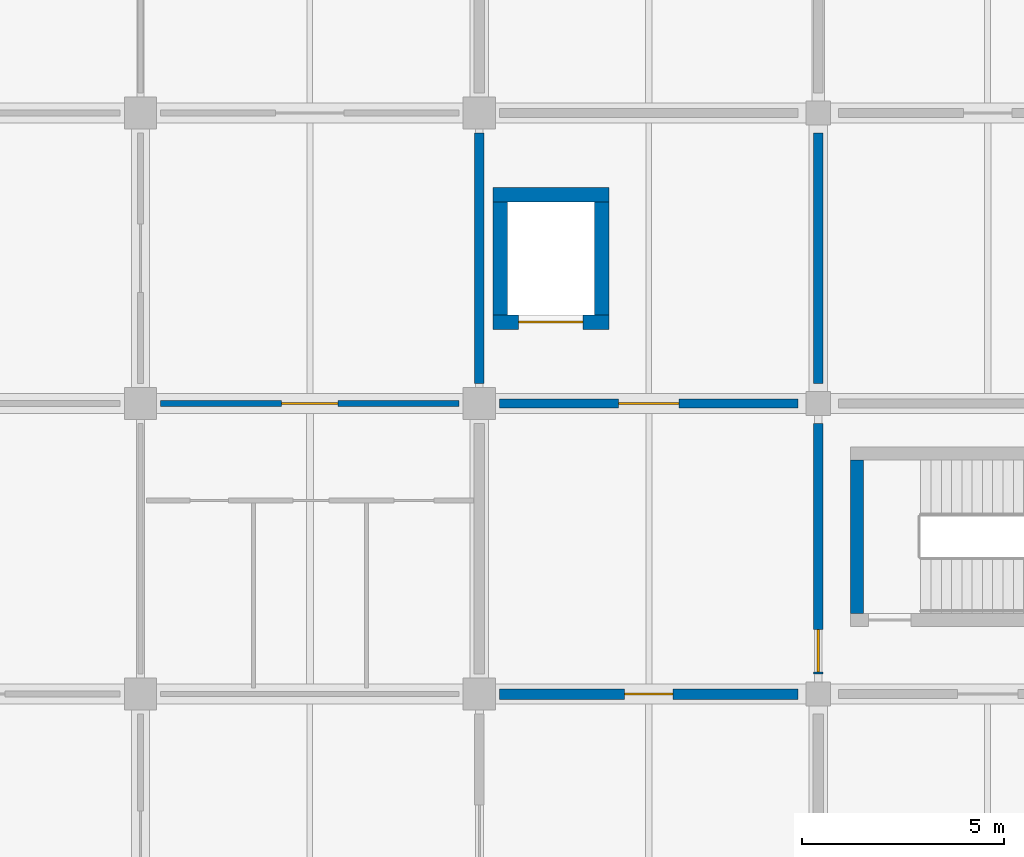
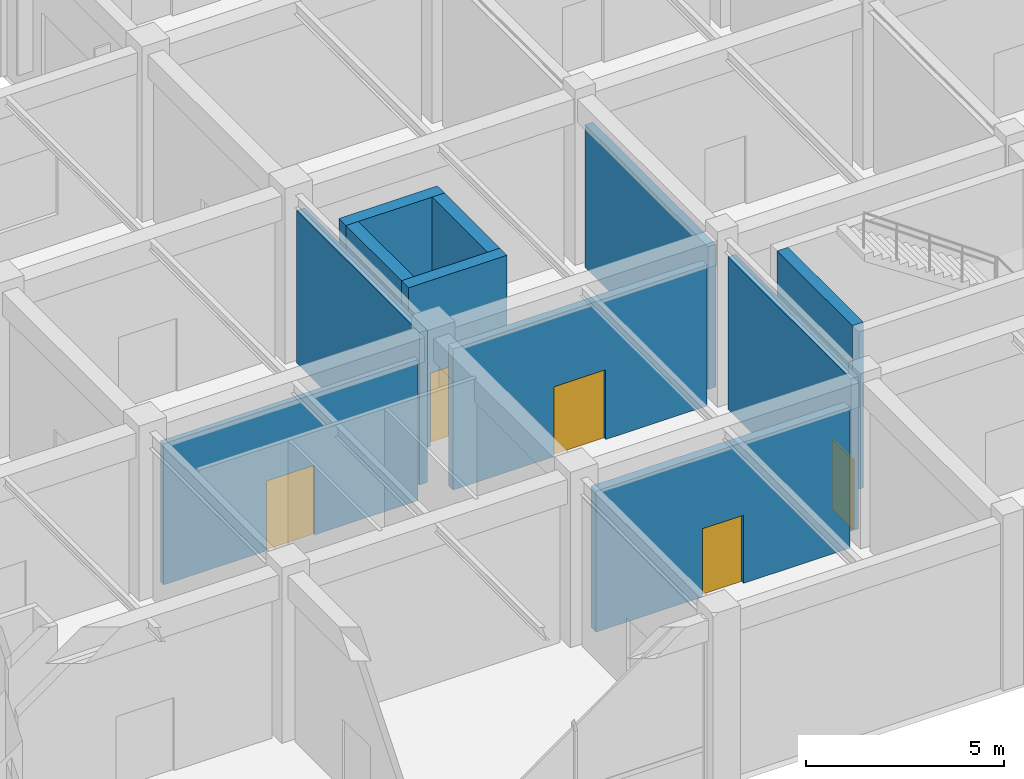
# One storey, part 26 of 38: 11 walls, 5 doors, 5 openings.
"""IFC4 building model written with IfcOpenShell, lengths in metres."""

import ifcopenshell
import ifcopenshell.guid

model = None  # the IFC model being written
_history = None  # IfcOwnerHistory: only IFC2X3 demands one
_inside = {}  # id of a spatial element -> (the spatial element, [elements in it])
_under = {}  # id of a project, library or spatial element -> (it, [spatial elements below it])
_declared = {}  # id of a project -> (the project, [libraries it declares])
_typed = {}  # id of a type object -> (the type object, [elements of that type])
_made_of = {}  # id of a material, layer set ... -> (it, [elements and type objects made of it])


def new_model(schema):
    """Start an empty IFC model of exactly this schema.

    Asked for "IFC4X3", IfcOpenShell would pick the latest addendum, in which some entities
    have other attributes; the version numbers below select the first issue.
    IFC2X3 requires an IfcOwnerHistory on every rooted entity: one is made here for all.
    """
    global model, _history
    if schema == "IFC4X3":
        model = ifcopenshell.file(schema_version=(4, 3, 0, 0))
    else:
        model = ifcopenshell.file(schema=schema)
    _inside.clear()
    _under.clear()
    _declared.clear()
    _typed.clear()
    _made_of.clear()
    _history = None
    if model.schema == "IFC2X3":
        org = make("IfcOrganization", Name="unknown")
        user = make(
            "IfcPersonAndOrganization",
            ThePerson=make("IfcPerson", FamilyName="unknown"),
            TheOrganization=org,
        )
        app = make(
            "IfcApplication",
            ApplicationDeveloper=org,
            Version="unknown",
            ApplicationFullName="unknown",
            ApplicationIdentifier="unknown",
        )
        _history = make(
            "IfcOwnerHistory",
            OwningUser=user,
            OwningApplication=app,
            ChangeAction="ADDED",
            CreationDate=0,
        )
    return model


def make(cls, **values):
    """One entity of the class cls with the attributes given. An attribute that is None is left unset."""
    return model.create_entity(
        cls, **{name: value for name, value in values.items() if value is not None}
    )


def rooted(cls, **values):
    """An entity with a GlobalId (a new one), such as an element, a storey or a relation."""
    return make(cls, GlobalId=ifcopenshell.guid.new(), OwnerHistory=_history, **values)


def si_unit(unit_type, name, prefix=None):
    """IfcSIUnit, for example si_unit("LENGTHUNIT", "METRE", prefix="MILLI")."""
    return make("IfcSIUnit", UnitType=unit_type, Prefix=prefix, Name=name)


def derived_unit(unit_type, elements):
    """IfcDerivedUnit: a product of units, each with its exponent."""
    return make(
        "IfcDerivedUnit",
        Elements=[
            make("IfcDerivedUnitElement", Unit=unit, Exponent=power)
            for unit, power in elements
        ],
        UnitType=unit_type,
    )


def assignment(units):
    """IfcUnitAssignment: the units of a project."""
    return None if units is None else make("IfcUnitAssignment", Units=units)


def point(xyz):
    """IfcCartesianPoint."""
    return None if xyz is None else make("IfcCartesianPoint", Coordinates=xyz)


def direction(xyz):
    """IfcDirection."""
    return None if xyz is None else make("IfcDirection", DirectionRatios=xyz)


def frame(location, z_axis=None, x_axis=None):
    """IfcAxis2Placement3D, a coordinate frame: its origin and axes. An axis left out is left unset."""
    return make(
        "IfcAxis2Placement3D",
        Location=point(location),
        Axis=direction(z_axis),
        RefDirection=direction(x_axis),
    )


def frame_2d(location, x_axis=None):
    """IfcAxis2Placement2D, a coordinate frame in the plane: its origin and x axis."""
    return make(
        "IfcAxis2Placement2D", Location=point(location), RefDirection=direction(x_axis)
    )


def origin():
    """The frame at (0, 0, 0) with its axes left unset."""
    return frame((0.0, 0.0, 0.0))


def place(relative_to, where):
    """IfcLocalPlacement: puts the frame where relative to a parent placement (None: the world)."""
    return make(
        "IfcLocalPlacement", PlacementRelTo=relative_to, RelativePlacement=where
    )


def context(
    kind, dimensions, precision=None, world=None, true_north=None, identifier=None
):
    """IfcGeometricRepresentationContext, for example the 3D "Model" context."""
    return make(
        "IfcGeometricRepresentationContext",
        ContextIdentifier=identifier,
        ContextType=kind,
        CoordinateSpaceDimension=dimensions,
        Precision=precision,
        WorldCoordinateSystem=world,
        TrueNorth=true_north,
    )


def subcontext(parent, identifier, kind, view, scale=None):
    """IfcGeometricRepresentationSubContext, for example "Body" below "Model"."""
    return make(
        "IfcGeometricRepresentationSubContext",
        ContextIdentifier=identifier,
        ContextType=kind,
        ParentContext=parent,
        TargetScale=scale,
        TargetView=view,
    )


def project(units=None, contexts=None):
    """IfcProject with its units and contexts."""
    return rooted(
        "IfcProject",
        Name="project",
        RepresentationContexts=contexts,
        UnitsInContext=assignment(units),
    )


def spatial(cls, under=None, at=None, **own):
    """A site, building, storey or space (cls), placed at a placement, below another one or the project."""
    s = rooted(cls, ObjectPlacement=at, **own)
    if under is not None:
        _under.setdefault(under.id(), (under, []))[1].append(s)
    return s


def profile(cls, at=None, kind="AREA", **sizes):
    """A parametric profile (cls). Its sizes go by their IFC names, for example OverallWidth=200.0."""
    return make(cls, ProfileType=kind, Position=at, **sizes)


def rectangle(**sizes):
    """IfcRectangleProfileDef."""
    return profile("IfcRectangleProfileDef", **sizes)


def extrude(swept, where, along, depth):
    """IfcExtrudedAreaSolid: the profile swept, set in the frame where, extruded along a direction by depth."""
    return make(
        "IfcExtrudedAreaSolid",
        SweptArea=swept,
        Position=where,
        ExtrudedDirection=direction(along),
        Depth=depth,
    )


def shape(context_of_items, identifier, shape_type, items):
    """IfcShapeRepresentation: the items that make up one representation, for example the "Body"."""
    return make(
        "IfcShapeRepresentation",
        ContextOfItems=context_of_items,
        RepresentationIdentifier=identifier,
        RepresentationType=shape_type,
        Items=items,
    )


def material(Name=None, Category=None):
    """IfcMaterial."""
    return make("IfcMaterial", Name=Name, Category=Category)


def layer(
    of_material, thickness, ventilated=None, Name=None, Category=None, Priority=None
):
    """IfcMaterialLayer: one layer of a wall or slab, of a material (None: an air gap)."""
    return make(
        "IfcMaterialLayer",
        Material=of_material,
        LayerThickness=thickness,
        IsVentilated=ventilated,
        Name=Name,
        Category=Category,
        Priority=Priority,
    )


def layer_set(layers, Name=None):
    """IfcMaterialLayerSet."""
    return make("IfcMaterialLayerSet", MaterialLayers=layers, LayerSetName=Name)


def made_of(thing, what):
    """Note that an element or type object is made of a material, layer set ...; save() writes the relation."""
    if what is not None:
        _made_of.setdefault(what.id(), (what, []))[1].append(thing)
    return thing


def type_object(cls, material=None, **own):
    """A type object (cls), such as IfcWallType, which elements share."""
    return made_of(rooted(cls, **own), material)


def element(
    cls,
    number,
    at=None,
    inside=None,
    cuts=None,
    type_object=None,
    material=None,
    context=None,
    identifier="Body",
    shape_type=None,
    held_by="IfcProductDefinitionShape",
    body=None,
    shapes=None,
    **own,
):
    """One element of the class cls, such as IfcWall. Its Tag is "e" and its number.

    at: its placement. inside: the storey or other place that contains it. cuts: it is an
    opening in that element (IfcRelVoidsElement). A single representation is given by context,
    identifier, shape_type and body (its items); several are given by shapes. held_by: the class
    of the entity that holds the representations. save() writes the other relations.
    """
    e = rooted(cls, Tag="e%d" % number, ObjectPlacement=at, **own)
    if body is not None:
        shapes = [shape(context, identifier, shape_type, body)]
    if shapes is not None:
        e.Representation = make(held_by, Representations=shapes)
    if inside is not None:
        _inside.setdefault(inside.id(), (inside, []))[1].append(e)
    if cuts is not None:
        rooted(
            "IfcRelVoidsElement", RelatingBuildingElement=cuts, RelatedOpeningElement=e
        )
    if type_object is not None:
        _typed.setdefault(type_object.id(), (type_object, []))[1].append(e)
    return made_of(e, material)


def fill(opening, filler):
    """IfcRelFillsElement: the door or window that sits in an opening."""
    return rooted(
        "IfcRelFillsElement",
        RelatingOpeningElement=opening,
        RelatedBuildingElement=filler,
    )


def aggregate(whole, parts):
    """IfcRelAggregates: a whole, such as a stair, and the parts it consists of."""
    return rooted("IfcRelAggregates", RelatingObject=whole, RelatedObjects=parts)


def save(model, path):
    """Write the relations noted so far, then the file.

    IfcRelAggregates (storeys below a building ...), IfcRelContainedInSpatialStructure (elements
    in a storey), IfcRelDefinesByType, IfcRelAssociatesMaterial and IfcRelDeclares: one each for
    every whole, place, type object, material and project.
    """
    for whole, parts in _under.values():
        aggregate(whole, parts)
    for where, things in _inside.values():
        rooted(
            "IfcRelContainedInSpatialStructure",
            RelatedElements=things,
            RelatingStructure=where,
        )
    for kind, things in _typed.values():
        rooted("IfcRelDefinesByType", RelatedObjects=things, RelatingType=kind)
    for what, things in _made_of.values():
        rooted("IfcRelAssociatesMaterial", RelatedObjects=things, RelatingMaterial=what)
    for by, libraries in _declared.values():
        rooted("IfcRelDeclares", RelatingContext=by, RelatedDefinitions=libraries)
    model.write(path)


model = new_model("IFC4")

# Units and contexts
model_context = context("Model", 3, precision=1e-05, world=origin(), true_north=direction((0.0, 1.0)))
body_context = subcontext(model_context, "Body", "Model", "MODEL_VIEW")
ifc_project = project(units=[si_unit("LENGTHUNIT", "METRE"), si_unit("AREAUNIT", "SQUARE_METRE"), si_unit("VOLUMEUNIT", "CUBIC_METRE"), si_unit("PLANEANGLEUNIT", "RADIAN"), si_unit("MASSUNIT", "GRAM", prefix="KILO"), derived_unit("THERMALTRANSMITTANCEUNIT", [(si_unit("MASSUNIT", "GRAM", prefix="KILO"), 1), (si_unit("TIMEUNIT", "SECOND"), -3), (si_unit("THERMODYNAMICTEMPERATUREUNIT", "KELVIN"), -1)])], contexts=[model_context])

# Site, building, storey
site_placement = place(None, origin())
site = spatial("IfcSite", under=ifc_project, at=site_placement, CompositionType="ELEMENT")
building_placement = place(site_placement, origin())
building = spatial("IfcBuilding", under=site, at=building_placement, Name="Veldstrom Oceanarium and Marine Research Institute", CompositionType="ELEMENT")
storey_placement = place(building_placement, frame((0.0, 0.0, 11.39990234375)))
storey = spatial("IfcBuildingStorey", under=building, at=storey_placement, Name="L02", CompositionType="ELEMENT", Elevation=11.39990234375)

# Wall
ifc_material_1 = material(Name="Masonry Fire Compartment Wall", Category="masonry")
ifc_layer_1 = layer(ifc_material_1, 0.22998046875)
ifc_layer_set_1 = layer_set([ifc_layer_1], Name="ARC-WAL-PT1")
wall_type_1 = type_object("IfcWallType", Name="ARC-WAL-PT1", PredefinedType="PARTITIONING", material=ifc_layer_set_1)
wall_1_placement = place(storey_placement, frame((117.60009765625, 58.10009765625, 0.0), z_axis=(0.0, 0.0, 1.0), x_axis=(0.0, 1.0, 0.0)))
element("IfcWall", 1, at=wall_1_placement, inside=storey, type_object=wall_type_1, Name="Interior Partition PT1 L02-1197", PredefinedType="PARTITIONING", context=body_context, shape_type="SweptSolid", body=[
    extrude(rectangle(XDim=6.199951171875, YDim=0.22998046875, at=frame_2d((3.10009765625, 0.0))), origin(), (0.0, 0.0, 1.0), 4.695068359375),
])

# Wall, opening, door
wall_2_placement = place(storey_placement, frame((126.0, 50.89990234375, 0.0), z_axis=(0.0, 0.0, 1.0), x_axis=(0.0, 1.0, 0.0)))
wall_2 = element("IfcWall", 2, at=wall_2_placement, inside=storey, type_object=wall_type_1, Name="Interior Partition PT1 L02-1202", PredefinedType="PARTITIONING", context=body_context, shape_type="SweptSolid", body=[
    extrude(rectangle(XDim=6.2001953125, YDim=0.22998046875, at=frame_2d((3.10009765625, 0.0))), origin(), (0.0, 0.0, 1.0), 4.695068359375),
])
opening_1_placement = place(wall_2_placement, frame((0.050048828125, 0.0, 0.0)))
opening_1 = element("IfcOpeningElement", 3, at=opening_1_placement, cuts=wall_2, Name="Opening D-L02-703", PredefinedType="OPENING", context=body_context, shape_type="SweptSolid", body=[
    extrude(rectangle(XDim=1.050048828125, YDim=2.14990234375, at=frame_2d((0.52490234375, 1.074951171875))), frame((0.0, 0.125, 0.0), z_axis=(0.0, -1.0, 0.0), x_axis=(1.0, 0.0, 0.0)), (0.0, 0.0, 1.0), 0.25),
])
ifc_material_2 = material(Name="Painted Steel Fire Door", Category="steel")
door_type_1 = type_object("IfcDoorType", Name="ARC-DOR-SD1", OperationType="SINGLE_SWING_LEFT", PredefinedType="DOOR", material=ifc_material_2)
door_1_placement = place(opening_1_placement, origin())
door_1 = element("IfcDoor", 4, at=door_1_placement, inside=storey, type_object=door_type_1, Name="Interior Door D-L02-703", OperationType="SINGLE_SWING_LEFT", OverallHeight=2.14990234375, OverallWidth=1.050048828125, PredefinedType="DOOR", context=body_context, shape_type="SweptSolid", body=[
    extrude(rectangle(XDim=1.050048828125, YDim=2.14990234375, at=frame_2d((0.52490234375, 1.074951171875))), frame((0.0, 0.02490234375, 0.0), z_axis=(0.0, -1.0, 0.0), x_axis=(1.0, 0.0, 0.0)), (0.0, 0.0, 1.0), 0.050048828125),
])
fill(opening_1, door_1)

wall_3_placement = place(storey_placement, frame((118.10009765625, 57.60009765625, 0.0), z_axis=(0.0, 0.0, 1.0), x_axis=(1.0, 0.0, 0.0)))
wall_3 = element("IfcWall", 5, at=wall_3_placement, inside=storey, type_object=wall_type_1, Name="Interior Partition PT1 L02-1203", PredefinedType="PARTITIONING", context=body_context, shape_type="SweptSolid", body=[
    extrude(rectangle(XDim=7.39990234375, YDim=0.22998046875, at=frame_2d((3.699951171875, 0.0))), origin(), (0.0, 0.0, 1.0), 4.34521484375),
])
opening_2_placement = place(wall_3_placement, frame((2.949951171875, 0.0, 0.0)))
opening_2 = element("IfcOpeningElement", 6, at=opening_2_placement, cuts=wall_3, Name="Opening D-L02-704", PredefinedType="OPENING", context=body_context, shape_type="SweptSolid", body=[
    extrude(rectangle(XDim=1.5, YDim=2.14990234375, at=frame_2d((0.75, 1.074951171875))), frame((0.0, 0.125, 0.0), z_axis=(0.0, -1.0, 0.0), x_axis=(1.0, 0.0, 0.0)), (0.0, 0.0, 1.0), 0.25),
])
ifc_material_3 = material(Name="Painted Steel Lobby Fire Door", Category="steel")
door_type_2 = type_object("IfcDoorType", Name="ARC-DOR-SD2", OperationType="DOUBLE_DOOR_SINGLE_SWING", PredefinedType="DOOR", material=ifc_material_3)
door_2_placement = place(opening_2_placement, frame((1.5, 0.0, 0.0), z_axis=(0.0, 0.0, 1.0), x_axis=(-1.0, 0.0, 0.0)))
door_2 = element("IfcDoor", 7, at=door_2_placement, inside=storey, type_object=door_type_2, Name="Interior Door D-L02-704", OperationType="DOUBLE_DOOR_SINGLE_SWING", OverallHeight=2.14990234375, OverallWidth=1.5, PredefinedType="DOOR", context=body_context, shape_type="SweptSolid", body=[
    extrude(rectangle(XDim=1.5, YDim=2.14990234375, at=frame_2d((0.75, 1.074951171875))), frame((0.0, 0.02490234375, 0.0), z_axis=(0.0, -1.0, 0.0), x_axis=(1.0, 0.0, 0.0)), (0.0, 0.0, 1.0), 0.050048828125),
])
fill(opening_2, door_2)

# Wall
wall_4_placement = place(storey_placement, frame((126.0, 58.10009765625, 0.0), z_axis=(0.0, 0.0, 1.0), x_axis=(0.0, 1.0, 0.0)))
element("IfcWall", 8, at=wall_4_placement, inside=storey, type_object=wall_type_1, Name="Interior Partition PT1 L02-1204", PredefinedType="PARTITIONING", context=body_context, shape_type="SweptSolid", body=[
    extrude(rectangle(XDim=6.199951171875, YDim=0.22998046875, at=frame_2d((3.10009765625, 0.0))), origin(), (0.0, 0.0, 1.0), 4.39501953125),
])

# Wall, opening, door
ifc_material_4 = material(Name="Drywall Corridor Partition", Category="gypsum")
ifc_layer_2 = layer(ifc_material_4, 0.155029296875)
ifc_layer_set_2 = layer_set([ifc_layer_2], Name="ARC-WAL-PT4")
wall_type_2 = type_object("IfcWallType", Name="ARC-WAL-PT4", PredefinedType="PARTITIONING", material=ifc_layer_set_2)
wall_5_placement = place(storey_placement, frame((109.699951171875, 57.60009765625, 0.0), z_axis=(0.0, 0.0, 1.0), x_axis=(1.0, 0.0, 0.0)))
wall_5 = element("IfcWall", 9, at=wall_5_placement, inside=storey, type_object=wall_type_2, Name="Interior Partition PT4 L02-1196", PredefinedType="PARTITIONING", context=body_context, shape_type="SweptSolid", body=[
    extrude(rectangle(XDim=7.400146484375, YDim=0.155029296875, at=frame_2d((3.7001953125, 0.0))), origin(), (0.0, 0.0, 1.0), 4.34521484375),
])
opening_3_placement = place(wall_5_placement, frame((3.0, 0.0, 0.0)))
opening_3 = element("IfcOpeningElement", 10, at=opening_3_placement, cuts=wall_5, Name="Opening D-L02-699", PredefinedType="OPENING", context=body_context, shape_type="SweptSolid", body=[
    extrude(rectangle(XDim=1.39990234375, YDim=2.14990234375, at=frame_2d((0.699951171875, 1.074951171875))), frame((0.0, 0.08740234375, 0.0), z_axis=(0.0, -1.0, 0.0), x_axis=(1.0, 0.0, 0.0)), (0.0, 0.0, 1.0), 0.175048828125),
])
ifc_material_5 = material(Name="Education Classroom Door", Category="timber")
door_type_3 = type_object("IfcDoorType", Name="ARC-DOR-ID04", OperationType="DOUBLE_DOOR_SINGLE_SWING", PredefinedType="DOOR", material=ifc_material_5)
door_3_placement = place(opening_3_placement, frame((1.39990234375, 0.0, 0.0), z_axis=(0.0, 0.0, 1.0), x_axis=(-1.0, 0.0, 0.0)))
door_3 = element("IfcDoor", 11, at=door_3_placement, inside=storey, type_object=door_type_3, Name="Interior Door D-L02-699", OperationType="DOUBLE_DOOR_SINGLE_SWING", OverallHeight=2.14990234375, OverallWidth=1.39990234375, PredefinedType="DOOR", context=body_context, shape_type="SweptSolid", body=[
    extrude(rectangle(XDim=1.39990234375, YDim=2.14990234375, at=frame_2d((0.699951171875, 1.074951171875))), frame((0.0, 0.02490234375, 0.0), z_axis=(0.0, -1.0, 0.0), x_axis=(1.0, 0.0, 0.0)), (0.0, 0.0, 1.0), 0.050048828125),
])
fill(opening_3, door_3)

ifc_material_6 = material(Name="Plant Acoustic Masonry Wall", Category="masonry")
ifc_layer_3 = layer(ifc_material_6, 0.260009765625)
ifc_layer_set_3 = layer_set([ifc_layer_3], Name="ARC-WAL-PT8")
wall_type_3 = type_object("IfcWallType", Name="ARC-WAL-PT8", PredefinedType="PARTITIONING", material=ifc_layer_set_3)
wall_6_placement = place(storey_placement, frame((118.10009765625, 50.39990234375, 0.0), z_axis=(0.0, 0.0, 1.0), x_axis=(1.0, 0.0, 0.0)))
wall_6 = element("IfcWall", 12, at=wall_6_placement, inside=storey, type_object=wall_type_3, Name="Interior Partition PT8 L02-1201", PredefinedType="PARTITIONING", context=body_context, shape_type="SweptSolid", body=[
    extrude(rectangle(XDim=7.39990234375, YDim=0.260009765625, at=frame_2d((3.699951171875, 0.0))), origin(), (0.0, 0.0, 1.0), 4.34521484375),
])
opening_4_placement = place(wall_6_placement, frame((3.10009765625, 0.0, 0.0)))
opening_4 = element("IfcOpeningElement", 13, at=opening_4_placement, cuts=wall_6, Name="Opening D-L02-702", PredefinedType="OPENING", context=body_context, shape_type="SweptSolid", body=[
    extrude(rectangle(XDim=1.199951171875, YDim=2.10009765625, at=frame_2d((0.60009765625, 1.050048828125))), frame((0.0, 0.139892578125, 0.0), z_axis=(0.0, -1.0, 0.0), x_axis=(1.0, 0.0, 0.0)), (0.0, 0.0, 1.0), 0.280029296875),
])
ifc_material_7 = material(Name="Quarantine Biosecure Door", Category="steel")
door_type_4 = type_object("IfcDoorType", Name="ARC-DOR-ID06", OperationType="SINGLE_SWING_RIGHT", PredefinedType="DOOR", material=ifc_material_7)
door_4_placement = place(opening_4_placement, origin())
door_4 = element("IfcDoor", 14, at=door_4_placement, inside=storey, type_object=door_type_4, Name="Interior Door D-L02-702", OperationType="SINGLE_SWING_LEFT", OverallHeight=2.10009765625, OverallWidth=1.199951171875, PredefinedType="DOOR", context=body_context, shape_type="SweptSolid", body=[
    extrude(rectangle(XDim=1.199951171875, YDim=2.10009765625, at=frame_2d((0.60009765625, 1.050048828125))), frame((0.0, 0.02490234375, 0.0), z_axis=(0.0, -1.0, 0.0), x_axis=(1.0, 0.0, 0.0)), (0.0, 0.0, 1.0), 0.050048828125),
])
fill(opening_4, door_4)

# Wall
ifc_material_8 = material(Name="Concrete C40/50", Category="concrete")
ifc_layer_4 = layer(ifc_material_8, 0.360107421875)
ifc_layer_set_4 = layer_set([ifc_layer_4], Name="STR-WAL-WC2")
wall_type_4 = type_object("IfcWallType", Name="STR-WAL-WC2", PredefinedType="SHEAR", material=ifc_layer_set_4)
wall_7_placement = place(storey_placement, frame((117.93994140625, 62.780029296875, 0.0), z_axis=(0.0, 0.0, 1.0), x_axis=(1.0, 0.0, 0.0)))
element("IfcWall", 15, at=wall_7_placement, inside=storey, type_object=wall_type_4, Name="Lift Shaft Shear Wall N L02 14/8", PredefinedType="SHEAR", context=body_context, shape_type="SweptSolid", body=[
    extrude(rectangle(XDim=2.8701171875, YDim=0.360107421875, at=frame_2d((1.43505859375, 0.0))), origin(), (0.0, 0.0, 1.0), 5.10009765625),
])

# Wall, opening, door
wall_8_placement = place(storey_placement, frame((117.93994140625, 59.6201171875, 0.0), z_axis=(0.0, 0.0, 1.0), x_axis=(1.0, 0.0, 0.0)))
wall_8 = element("IfcWall", 16, at=wall_8_placement, inside=storey, type_object=wall_type_4, Name="Lift Shaft Front Shear Wall LG1 L02", PredefinedType="SHEAR", context=body_context, shape_type="SweptSolid", body=[
    extrude(rectangle(XDim=2.8701171875, YDim=0.360107421875, at=frame_2d((1.43505859375, 0.0))), origin(), (0.0, 0.0, 1.0), 5.10009765625),
])
opening_5_placement = place(wall_8_placement, frame((0.635009765625, 0.0, 0.0)))
opening_5 = element("IfcOpeningElement", 17, at=opening_5_placement, cuts=wall_8, Name="Opening LD-LG1-L02", PredefinedType="OPENING", context=body_context, shape_type="SweptSolid", body=[
    extrude(rectangle(XDim=1.60009765625, YDim=2.25, at=frame_2d((0.800048828125, 1.125))), frame((0.0, 0.18994140625, 0.0), z_axis=(0.0, -1.0, 0.0), x_axis=(1.0, 0.0, 0.0)), (0.0, 0.0, 1.0), 0.380126953125),
])
ifc_material_9 = material(Name="Heavy Goods Lift Landing Door", Category="steel")
door_type_5 = type_object("IfcDoorType", Name="ARC-DOR-LD4", OperationType="DOUBLE_DOOR_SLIDING", PredefinedType="DOOR", material=ifc_material_9)
door_5_placement = place(opening_5_placement, origin())
door_5 = element("IfcDoor", 18, at=door_5_placement, inside=storey, type_object=door_type_5, Name="Lift Landing Door LD-LG1-L02", OperationType="DOUBLE_DOOR_SLIDING", OverallHeight=2.25, OverallWidth=1.60009765625, PredefinedType="DOOR", context=body_context, shape_type="SweptSolid", body=[
    extrude(rectangle(XDim=1.60009765625, YDim=2.25, at=frame_2d((0.800048828125, 1.125))), frame((0.0, 0.02490234375, 0.0), z_axis=(0.0, -1.0, 0.0), x_axis=(1.0, 0.0, 0.0)), (0.0, 0.0, 1.0), 0.050048828125),
])
fill(opening_5, door_5)

# Walls
for number, where, z_axis, x_axis, name in (
    (19, (118.1201171875, 59.800048828125, 0.0), (0.0, 0.0, 1.0), (0.0, 1.0, 0.0), "Lift Shaft Shear Wall W L02 14/8"),
    (20, (120.6298828125, 59.800048828125, 0.0), (0.0, 0.0, 1.0), (0.0, 1.0, 0.0), "Lift Shaft Shear Wall E L02 14/8"),
):
    element("IfcWall", number, at=place(storey_placement, frame(where, z_axis=z_axis, x_axis=x_axis)), inside=storey, type_object=wall_type_4, Name=name, PredefinedType="SHEAR", context=body_context, shape_type="SweptSolid", body=[
        extrude(rectangle(XDim=2.800048828125, YDim=0.360107421875, at=frame_2d((1.39990234375, 0.0))), origin(), (0.0, 0.0, 1.0), 5.10009765625),
    ])
ifc_material_10 = material(Name="Concrete C40/50", Category="concrete")
ifc_layer_5 = layer(ifc_material_10, 0.320068359375)
ifc_layer_set_5 = layer_set([ifc_layer_5], Name="STR-WAL-WC3")
wall_type_5 = type_object("IfcWallType", Name="STR-WAL-WC3", PredefinedType="SHEAR", material=ifc_layer_set_5)
wall_9_placement = place(storey_placement, frame((126.9599609375, 52.39990234375, 0.0), z_axis=(0.0, 0.0, 1.0), x_axis=(0.0, 1.0, 0.0)))
element("IfcWall", 21, at=wall_9_placement, inside=storey, type_object=wall_type_5, Name="Stair Core Shear Wall SC4-L02-W", PredefinedType="SHEAR", context=body_context, shape_type="SweptSolid", body=[
    extrude(rectangle(XDim=3.800048828125, YDim=0.320068359375, at=frame_2d((1.89990234375, 0.0))), origin(), (0.0, 0.0, 1.0), 5.10009765625),
])

save(model, "model.ifc")
